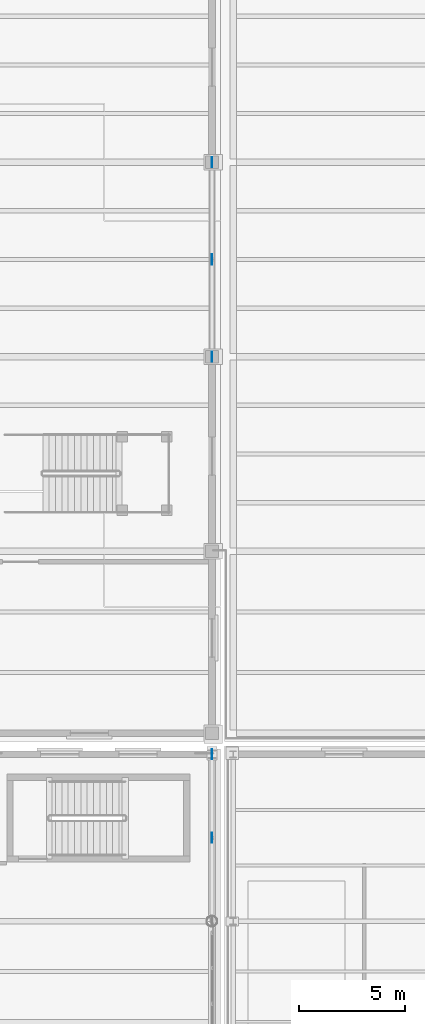
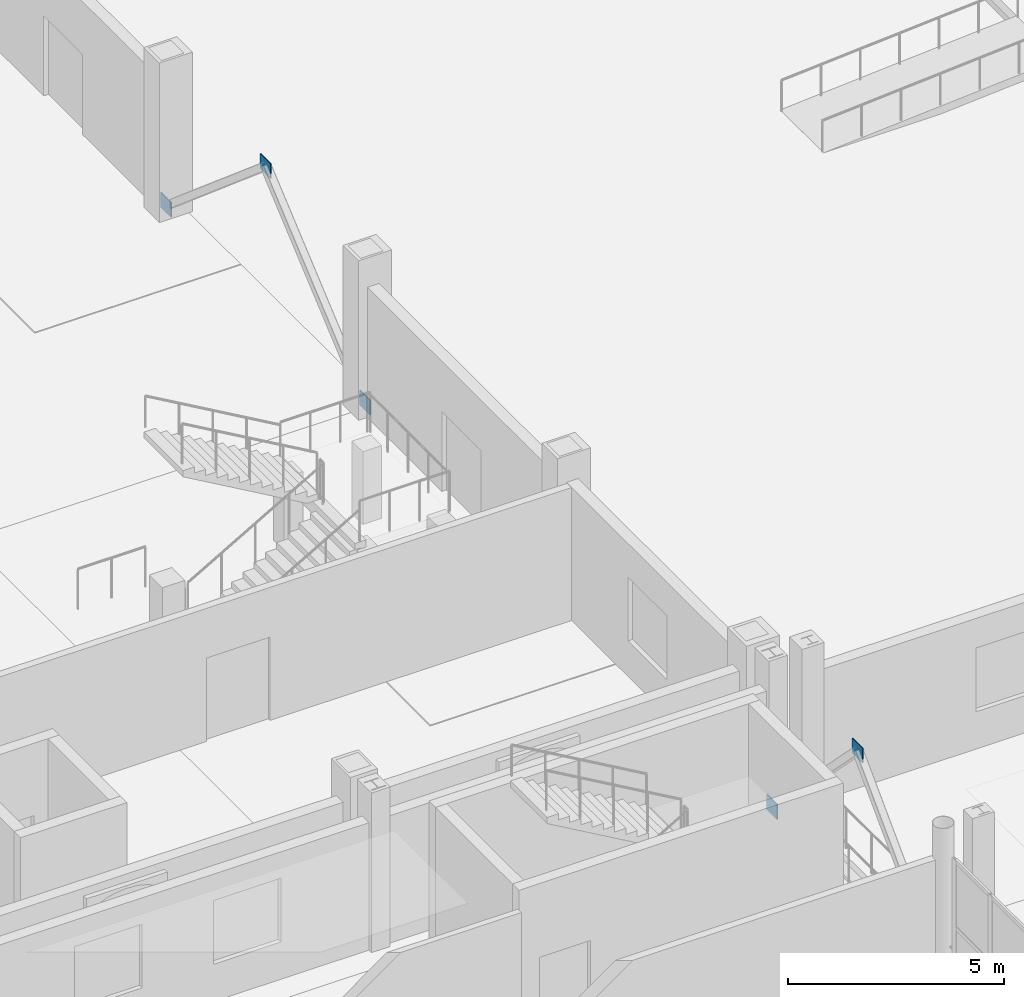
# One storey, part 119 of 156: 5 plates.
"""IFC4 building model written with IfcOpenShell, lengths in metres."""

from ifc_helpers import new_model, si_unit, direction, frame, origin, origin_2d, place, context, subcontext, project, spatial, rectangle, extrude, material, layer, layer_set, type_object, element, save


model = new_model("IFC4")

# Units and contexts
model_context = context("Model", 3, precision=1e-05, world=origin(), true_north=direction((0.0, 1.0)))
body_context = subcontext(model_context, "Body", "Model", "MODEL_VIEW")
ifc_project = project(units=[si_unit("LENGTHUNIT", "METRE"), si_unit("AREAUNIT", "SQUARE_METRE"), si_unit("VOLUMEUNIT", "CUBIC_METRE"), si_unit("PLANEANGLEUNIT", "RADIAN"), si_unit("MASSUNIT", "GRAM", prefix="KILO")], contexts=[model_context])

# Site, building, storey
site_placement = place(None, origin())
site = spatial("IfcSite", under=ifc_project, at=site_placement, CompositionType="ELEMENT")
building_placement = place(site_placement, origin())
building = spatial("IfcBuilding", under=site, at=building_placement, Name="Caurita Quay Ferry Terminal", CompositionType="ELEMENT")
storey_placement = place(building_placement, frame((0.0, 0.0, 5.39990234375)))
storey = spatial("IfcBuildingStorey", under=building, at=storey_placement, Name="L01", CompositionType="ELEMENT", Elevation=5.39990234375)

# Plates
ifc_material = material(Name="Structural plate steel ASTM A572 Gr. 50", Category="steel")
ifc_layer_1 = layer(ifc_material, 0.01806640625, Name="Structural steel connection plate 18 mm")
ifc_layer_set_1 = layer_set([ifc_layer_1], Name="Structural plate steel ASTM A572 Gr. 50")
plate_type_1 = type_object("IfcPlateType", Name="PLT-STL-18", PredefinedType="USERDEFINED", material=ifc_layer_set_1)
for number, where, z_axis, x_axis, name in (
    (1, (131.800048828125, 70.60009765625, -0.059814453125), (0.0, 0.0, 1.0), (0.0, 1.0, 0.0), "L01 Seismic Brace Gusset 14-BSR"),
    (2, (131.800048828125, 89.39990234375, -0.059814453125), (0.0, 0.0, 1.0), (0.0, 1.0, 0.0), "L01 Seismic Brace Gusset 16-BSL"),
    (3, (131.800048828125, 98.60009765625, -0.059814453125), (0.0, 0.0, 1.0), (0.0, 1.0, 0.0), "L01 Seismic Brace Gusset 16-BSR"),
):
    element("IfcPlate", number, at=place(storey_placement, frame(where, z_axis=z_axis, x_axis=x_axis)), inside=storey, type_object=plate_type_1, Name=name, ObjectType="GUSSET PLATE", PredefinedType="USERDEFINED", context=body_context, shape_type="SweptSolid", body=[
        extrude(rectangle(XDim=0.47998046875, YDim=0.02490234375, at=origin_2d()), origin(), (0.0, 0.0, 1.0), 0.419921875),
    ])
ifc_layer_2 = layer(ifc_material, 0.02490234375, Name="Structural steel connection plate 25 mm")
ifc_layer_set_2 = layer_set([ifc_layer_2], Name="Structural plate steel ASTM A572 Gr. 50")
plate_type_2 = type_object("IfcPlateType", Name="PLT-STL-25", PredefinedType="USERDEFINED", material=ifc_layer_set_2)
for number, where, z_axis, x_axis, name in (
    (4, (131.800048828125, 66.64990234375, 3.920166015625), (0.0, 0.0, 1.0), (0.0, 1.0, 0.0), "L01 Seismic Brace Gusset 14-APX"),
    (5, (131.800048828125, 94.0, 3.820068359375), (0.0, 0.0, 1.0), (0.0, 1.0, 0.0), "L01 Seismic Brace Gusset 16-APX"),
):
    element("IfcPlate", number, at=place(storey_placement, frame(where, z_axis=z_axis, x_axis=x_axis)), inside=storey, type_object=plate_type_2, Name=name, ObjectType="GUSSET PLATE", PredefinedType="USERDEFINED", context=body_context, shape_type="SweptSolid", body=[
        extrude(rectangle(XDim=0.47998046875, YDim=0.02490234375, at=origin_2d()), origin(), (0.0, 0.0, 1.0), 0.419921875),
    ])

save(model, "model.ifc")
